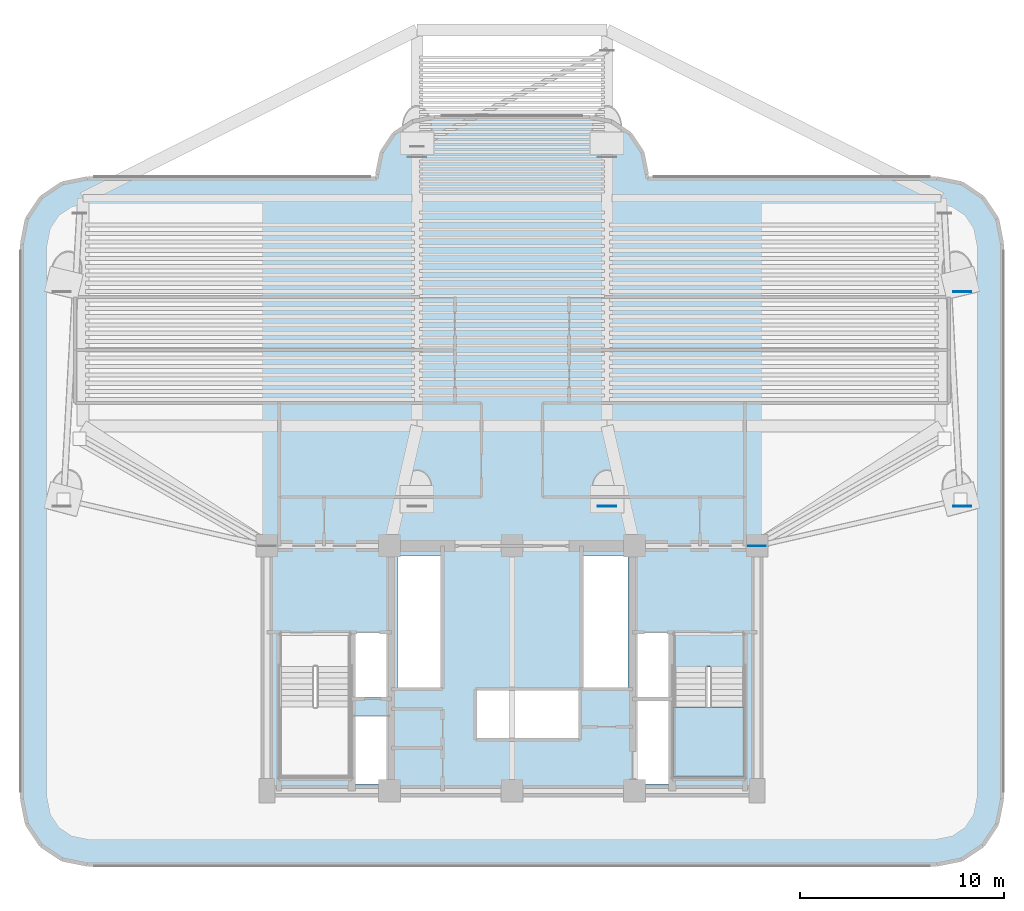
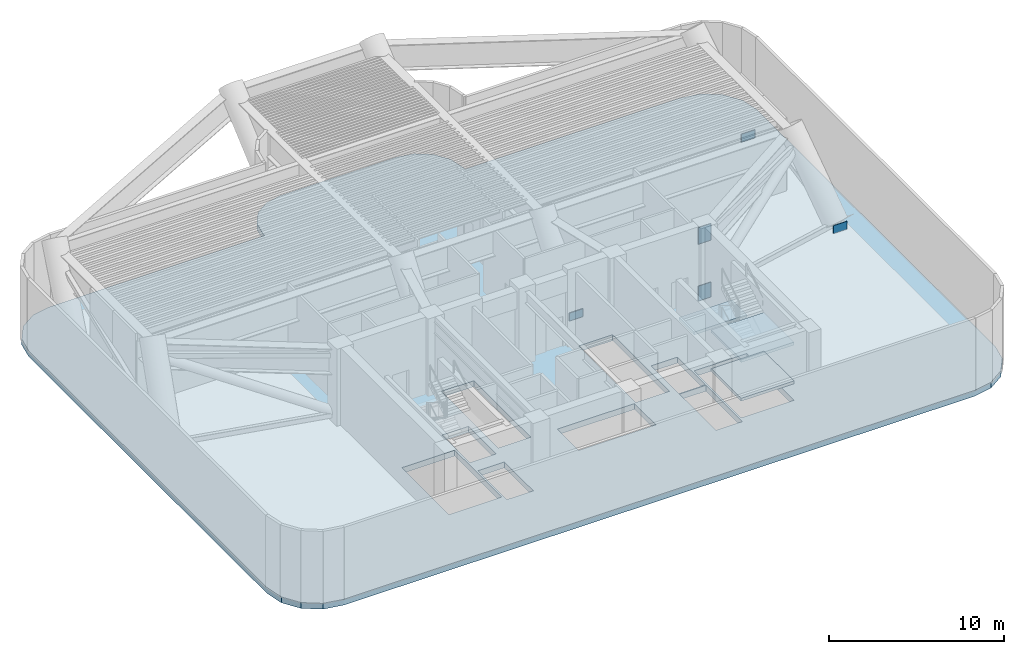
# One storey, part 3 of 11: 5 plates, 4 slabs, 1 element without a shape of its own.
"""IFC4 building model written with IfcOpenShell, lengths in metres."""

import ifcopenshell
import ifcopenshell.guid

model = None  # the IFC model being written
_history = None  # IfcOwnerHistory: only IFC2X3 demands one
_inside = {}  # id of a spatial element -> (the spatial element, [elements in it])
_under = {}  # id of a project, library or spatial element -> (it, [spatial elements below it])
_declared = {}  # id of a project -> (the project, [libraries it declares])
_typed = {}  # id of a type object -> (the type object, [elements of that type])
_made_of = {}  # id of a material, layer set ... -> (it, [elements and type objects made of it])


def new_model(schema):
    """Start an empty IFC model of exactly this schema.

    Asked for "IFC4X3", IfcOpenShell would pick the latest addendum, in which some entities
    have other attributes; the version numbers below select the first issue.
    IFC2X3 requires an IfcOwnerHistory on every rooted entity: one is made here for all.
    """
    global model, _history
    if schema == "IFC4X3":
        model = ifcopenshell.file(schema_version=(4, 3, 0, 0))
    else:
        model = ifcopenshell.file(schema=schema)
    _inside.clear()
    _under.clear()
    _declared.clear()
    _typed.clear()
    _made_of.clear()
    _history = None
    if model.schema == "IFC2X3":
        org = make("IfcOrganization", Name="unknown")
        user = make(
            "IfcPersonAndOrganization",
            ThePerson=make("IfcPerson", FamilyName="unknown"),
            TheOrganization=org,
        )
        app = make(
            "IfcApplication",
            ApplicationDeveloper=org,
            Version="unknown",
            ApplicationFullName="unknown",
            ApplicationIdentifier="unknown",
        )
        _history = make(
            "IfcOwnerHistory",
            OwningUser=user,
            OwningApplication=app,
            ChangeAction="ADDED",
            CreationDate=0,
        )
    return model


def make(cls, **values):
    """One entity of the class cls with the attributes given. An attribute that is None is left unset."""
    return model.create_entity(
        cls, **{name: value for name, value in values.items() if value is not None}
    )


def rooted(cls, **values):
    """An entity with a GlobalId (a new one), such as an element, a storey or a relation."""
    return make(cls, GlobalId=ifcopenshell.guid.new(), OwnerHistory=_history, **values)


def si_unit(unit_type, name, prefix=None):
    """IfcSIUnit, for example si_unit("LENGTHUNIT", "METRE", prefix="MILLI")."""
    return make("IfcSIUnit", UnitType=unit_type, Prefix=prefix, Name=name)


def assignment(units):
    """IfcUnitAssignment: the units of a project."""
    return None if units is None else make("IfcUnitAssignment", Units=units)


def point(xyz):
    """IfcCartesianPoint."""
    return None if xyz is None else make("IfcCartesianPoint", Coordinates=xyz)


def direction(xyz):
    """IfcDirection."""
    return None if xyz is None else make("IfcDirection", DirectionRatios=xyz)


def frame(location, z_axis=None, x_axis=None):
    """IfcAxis2Placement3D, a coordinate frame: its origin and axes. An axis left out is left unset."""
    return make(
        "IfcAxis2Placement3D",
        Location=point(location),
        Axis=direction(z_axis),
        RefDirection=direction(x_axis),
    )


def frame_2d(location, x_axis=None):
    """IfcAxis2Placement2D, a coordinate frame in the plane: its origin and x axis."""
    return make(
        "IfcAxis2Placement2D", Location=point(location), RefDirection=direction(x_axis)
    )


def origin():
    """The frame at (0, 0, 0) with its axes left unset."""
    return frame((0.0, 0.0, 0.0))


def origin_2d():
    """The frame at (0, 0) in the plane with its x axis left unset."""
    return frame_2d((0.0, 0.0))


def place(relative_to, where):
    """IfcLocalPlacement: puts the frame where relative to a parent placement (None: the world)."""
    return make(
        "IfcLocalPlacement", PlacementRelTo=relative_to, RelativePlacement=where
    )


def context(
    kind, dimensions, precision=None, world=None, true_north=None, identifier=None
):
    """IfcGeometricRepresentationContext, for example the 3D "Model" context."""
    return make(
        "IfcGeometricRepresentationContext",
        ContextIdentifier=identifier,
        ContextType=kind,
        CoordinateSpaceDimension=dimensions,
        Precision=precision,
        WorldCoordinateSystem=world,
        TrueNorth=true_north,
    )


def subcontext(parent, identifier, kind, view, scale=None):
    """IfcGeometricRepresentationSubContext, for example "Body" below "Model"."""
    return make(
        "IfcGeometricRepresentationSubContext",
        ContextIdentifier=identifier,
        ContextType=kind,
        ParentContext=parent,
        TargetScale=scale,
        TargetView=view,
    )


def project(units=None, contexts=None):
    """IfcProject with its units and contexts."""
    return rooted(
        "IfcProject",
        Name="project",
        RepresentationContexts=contexts,
        UnitsInContext=assignment(units),
    )


def spatial(cls, under=None, at=None, **own):
    """A site, building, storey or space (cls), placed at a placement, below another one or the project."""
    s = rooted(cls, ObjectPlacement=at, **own)
    if under is not None:
        _under.setdefault(under.id(), (under, []))[1].append(s)
    return s


def polyline(points):
    """IfcPolyline through the points."""
    return make("IfcPolyline", Points=[point(p) for p in points])


def profile(cls, at=None, kind="AREA", **sizes):
    """A parametric profile (cls). Its sizes go by their IFC names, for example OverallWidth=200.0."""
    return make(cls, ProfileType=kind, Position=at, **sizes)


def rectangle(**sizes):
    """IfcRectangleProfileDef."""
    return profile("IfcRectangleProfileDef", **sizes)


def outline(outer, holes=None, kind="AREA"):
    """IfcArbitraryClosedProfileDef: a profile drawn as a closed curve; with holes, ...WithVoids."""
    if holes is None:
        return make("IfcArbitraryClosedProfileDef", ProfileType=kind, OuterCurve=outer)
    return make(
        "IfcArbitraryProfileDefWithVoids",
        ProfileType=kind,
        OuterCurve=outer,
        InnerCurves=holes,
    )


def extrude(swept, where, along, depth):
    """IfcExtrudedAreaSolid: the profile swept, set in the frame where, extruded along a direction by depth."""
    return make(
        "IfcExtrudedAreaSolid",
        SweptArea=swept,
        Position=where,
        ExtrudedDirection=direction(along),
        Depth=depth,
    )


def shape(context_of_items, identifier, shape_type, items):
    """IfcShapeRepresentation: the items that make up one representation, for example the "Body"."""
    return make(
        "IfcShapeRepresentation",
        ContextOfItems=context_of_items,
        RepresentationIdentifier=identifier,
        RepresentationType=shape_type,
        Items=items,
    )


def source(mapping_origin, context_of_items, identifier, shape_type, items):
    """IfcRepresentationMap: a shape defined once, which mapped items show again and again."""
    return make(
        "IfcRepresentationMap",
        MappingOrigin=mapping_origin,
        MappedRepresentation=shape(context_of_items, identifier, shape_type, items),
    )


def transform(
    local_origin,
    x_axis=None,
    y_axis=None,
    z_axis=None,
    scale=None,
    scale2=None,
    scale3=None,
    uniform=True,
):
    """IfcCartesianTransformationOperator3D, or its non-uniform kind. x_axis, y_axis, z_axis: its Axis1, 2, 3."""
    if uniform:
        return make(
            "IfcCartesianTransformationOperator3D",
            Axis1=direction(x_axis),
            Axis2=direction(y_axis),
            LocalOrigin=point(local_origin),
            Scale=scale,
            Axis3=direction(z_axis),
        )
    return make(
        "IfcCartesianTransformationOperator3DnonUniform",
        Axis1=direction(x_axis),
        Axis2=direction(y_axis),
        LocalOrigin=point(local_origin),
        Scale=scale,
        Axis3=direction(z_axis),
        Scale2=scale2,
        Scale3=scale3,
    )


def mapped(mapping_source, mapping_target):
    """IfcMappedItem: shows the shape of a source again, moved by a transform."""
    return make(
        "IfcMappedItem", MappingSource=mapping_source, MappingTarget=mapping_target
    )


def material(Name=None, Category=None):
    """IfcMaterial."""
    return make("IfcMaterial", Name=Name, Category=Category)


def layer(
    of_material, thickness, ventilated=None, Name=None, Category=None, Priority=None
):
    """IfcMaterialLayer: one layer of a wall or slab, of a material (None: an air gap)."""
    return make(
        "IfcMaterialLayer",
        Material=of_material,
        LayerThickness=thickness,
        IsVentilated=ventilated,
        Name=Name,
        Category=Category,
        Priority=Priority,
    )


def layer_set(layers, Name=None):
    """IfcMaterialLayerSet."""
    return make("IfcMaterialLayerSet", MaterialLayers=layers, LayerSetName=Name)


def made_of(thing, what):
    """Note that an element or type object is made of a material, layer set ...; save() writes the relation."""
    if what is not None:
        _made_of.setdefault(what.id(), (what, []))[1].append(thing)
    return thing


def type_object(cls, material=None, **own):
    """A type object (cls), such as IfcWallType, which elements share."""
    return made_of(rooted(cls, **own), material)


def element(
    cls,
    number,
    at=None,
    inside=None,
    cuts=None,
    type_object=None,
    material=None,
    context=None,
    identifier="Body",
    shape_type=None,
    held_by="IfcProductDefinitionShape",
    body=None,
    shapes=None,
    **own,
):
    """One element of the class cls, such as IfcWall. Its Tag is "e" and its number.

    at: its placement. inside: the storey or other place that contains it. cuts: it is an
    opening in that element (IfcRelVoidsElement). A single representation is given by context,
    identifier, shape_type and body (its items); several are given by shapes. held_by: the class
    of the entity that holds the representations. save() writes the other relations.
    """
    e = rooted(cls, Tag="e%d" % number, ObjectPlacement=at, **own)
    if body is not None:
        shapes = [shape(context, identifier, shape_type, body)]
    if shapes is not None:
        e.Representation = make(held_by, Representations=shapes)
    if inside is not None:
        _inside.setdefault(inside.id(), (inside, []))[1].append(e)
    if cuts is not None:
        rooted(
            "IfcRelVoidsElement", RelatingBuildingElement=cuts, RelatedOpeningElement=e
        )
    if type_object is not None:
        _typed.setdefault(type_object.id(), (type_object, []))[1].append(e)
    return made_of(e, material)


def aggregate(whole, parts):
    """IfcRelAggregates: a whole, such as a stair, and the parts it consists of."""
    return rooted("IfcRelAggregates", RelatingObject=whole, RelatedObjects=parts)


def save(model, path):
    """Write the relations noted so far, then the file.

    IfcRelAggregates (storeys below a building ...), IfcRelContainedInSpatialStructure (elements
    in a storey), IfcRelDefinesByType, IfcRelAssociatesMaterial and IfcRelDeclares: one each for
    every whole, place, type object, material and project.
    """
    for whole, parts in _under.values():
        aggregate(whole, parts)
    for where, things in _inside.values():
        rooted(
            "IfcRelContainedInSpatialStructure",
            RelatedElements=things,
            RelatingStructure=where,
        )
    for kind, things in _typed.values():
        rooted("IfcRelDefinesByType", RelatedObjects=things, RelatingType=kind)
    for what, things in _made_of.values():
        rooted("IfcRelAssociatesMaterial", RelatedObjects=things, RelatingMaterial=what)
    for by, libraries in _declared.values():
        rooted("IfcRelDeclares", RelatingContext=by, RelatedDefinitions=libraries)
    model.write(path)


model = new_model("IFC4")

# Units and contexts
model_context = context("Model", 3, precision=1e-05, world=origin(), true_north=direction((0.0, 1.0)))
body_context = subcontext(model_context, "Body", "Model", "MODEL_VIEW")
ifc_project = project(units=[si_unit("LENGTHUNIT", "METRE"), si_unit("AREAUNIT", "SQUARE_METRE"), si_unit("VOLUMEUNIT", "CUBIC_METRE"), si_unit("PLANEANGLEUNIT", "RADIAN"), si_unit("MASSUNIT", "GRAM", prefix="KILO")], contexts=[model_context])

# Site, building, storey
site_placement = place(None, origin())
site = spatial("IfcSite", under=ifc_project, at=site_placement, CompositionType="ELEMENT")
building_placement = place(site_placement, origin())
building = spatial("IfcBuilding", under=site, at=building_placement, Name="Brelvock Crest Care Tower", CompositionType="ELEMENT")
storey_placement = place(building_placement, frame((0.0, 0.0, 79.919921875)))
storey = spatial("IfcBuildingStorey", under=building, at=storey_placement, Name="L20", CompositionType="ELEMENT", Elevation=79.919921875)

# Slab
ifc_material_1 = material(Name="Concrete N50 (50 MPa)", Category="concrete")
ifc_layer_1 = layer(ifc_material_1, 0.407958984375, Name="SLB-FL5")
ifc_layer_set_1 = layer_set([ifc_layer_1], Name="Concrete N50 (50 MPa)")
slab_type_1 = type_object("IfcSlabType", Name="SLB-FL5", PredefinedType="FLOOR", material=ifc_layer_set_1)
slab_1_placement = place(storey_placement, frame((0.0, 0.0, -0.407958984375)))
element("IfcSlab", 1, at=slab_1_placement, inside=storey, type_object=slab_type_1, Name="L20 Main Structural Slab", PredefinedType="FLOOR", context=body_context, shape_type="SweptSolid", body=[
    extrude(outline(polyline([(56.800048828125, 36.0), (42.60009765625, 36.0), (42.60009765625, 36.199951171875), (42.386962890625, 37.271484375), (41.77978515625, 38.179931640625), (40.87158203125, 38.786865234375), (39.800048828125, 39.0), (32.199951171875, 39.0), (31.12841796875, 38.786865234375), (30.22021484375, 38.179931640625), (29.613037109375, 37.271484375), (29.39990234375, 36.199951171875), (29.39990234375, 36.0), (15.199951171875, 36.0), (13.975341796875, 35.75634765625), (12.937255859375, 35.062744140625), (12.24365234375, 34.024658203125), (12.0, 32.800048828125), (12.0, 5.60009765625), (12.24365234375, 4.37548828125), (12.937255859375, 3.33740234375), (13.975341796875, 2.6435546875), (15.199951171875, 2.39990234375), (56.800048828125, 2.39990234375), (58.024658203125, 2.6435546875), (59.062744140625, 3.33740234375), (59.75634765625, 4.37548828125), (60.0, 5.60009765625), (60.0, 32.800048828125), (59.75634765625, 34.024658203125), (59.062744140625, 35.062744140625), (58.024658203125, 35.75634765625), (56.800048828125, 36.0)]), holes=[polyline([(28.239990234375, 10.580078125), (29.97998046875, 10.580078125), (29.97998046875, 13.739990234375), (28.239990234375, 13.739990234375), (28.239990234375, 10.580078125)]), polyline([(42.02001953125, 10.580078125), (43.760009765625, 10.580078125), (43.760009765625, 13.739990234375), (42.02001953125, 13.739990234375), (42.02001953125, 10.580078125)]), polyline([(28.239990234375, 6.340087890625), (29.97998046875, 6.340087890625), (29.97998046875, 9.64990234375), (28.239990234375, 9.64990234375), (28.239990234375, 6.340087890625)]), polyline([(24.6298828125, 12.080078125), (24.6298828125, 6.699951171875), (28.110107421875, 6.699951171875), (28.110107421875, 12.080078125), (24.6298828125, 12.080078125)]), polyline([(43.889892578125, 12.080078125), (43.889892578125, 6.699951171875), (47.3701171875, 6.699951171875), (47.3701171875, 12.080078125), (43.889892578125, 12.080078125)]), polyline([(42.02001953125, 6.340087890625), (43.760009765625, 6.340087890625), (43.760009765625, 10.5), (42.02001953125, 10.5), (42.02001953125, 6.340087890625)]), polyline([(30.3798828125, 11.030029296875), (32.52001953125, 11.030029296875), (32.52001953125, 17.52001953125), (30.3798828125, 17.52001953125), (30.3798828125, 11.030029296875)]), polyline([(34.22998046875, 8.530029296875), (39.320068359375, 8.530029296875), (39.320068359375, 10.969970703125), (34.22998046875, 10.969970703125), (34.22998046875, 8.530029296875)]), polyline([(39.429931640625, 11.030029296875), (41.669921875, 11.030029296875), (41.669921875, 17.52001953125), (39.429931640625, 17.52001953125), (39.429931640625, 11.030029296875)])]), origin(), (0.0, 0.0, 1.0), 0.407958984375),
])

# Stair, slabs
ifc_material_2 = material(Name="Concrete N40 (40 MPa)", Category="concrete")
stair_type = type_object("IfcStairType", Name="ST-CORE1", PredefinedType="HALF_TURN_STAIR", material=ifc_material_2)
stair_placement = place(storey_placement, origin())
stair = element("IfcStair", 2, at=stair_placement, inside=storey, type_object=stair_type, Name="L20 Fire-Isolated Core Stair ST-2", PredefinedType="HALF_TURN_STAIR")
ifc_layer_2 = layer(ifc_material_2, 0.199951171875, Name="STL-1")
ifc_layer_set_2 = layer_set([ifc_layer_2], Name="Concrete N40 (40 MPa)")
slab_type_2 = type_object("IfcSlabType", Name="STL-1", PredefinedType="LANDING", material=ifc_layer_set_2)
slab_2_placement = place(storey_placement, frame((0.0, 0.0, 1.150146484375)))
slab_2 = element("IfcSlab", 3, at=slab_2_placement, type_object=slab_type_2, Name="ST-2 landing 1", PredefinedType="LANDING", context=body_context, shape_type="SweptSolid", body=[
    extrude(outline(polyline([(43.889892578125, 10.1201171875), (43.889892578125, 6.699951171875), (47.3701171875, 6.699951171875), (47.3701171875, 10.1201171875), (43.889892578125, 10.1201171875)])), origin(), (0.0, 0.0, 1.0), 0.199951171875),
])
slab_3_placement = place(storey_placement, frame((0.0, 0.0, 2.5)))
slab_3 = element("IfcSlab", 4, at=slab_3_placement, type_object=slab_type_2, Name="ST-2 landing 2", PredefinedType="LANDING", context=body_context, shape_type="SweptSolid", body=[
    extrude(outline(polyline([(43.889892578125, 13.780029296875), (43.889892578125, 12.080078125), (47.3701171875, 12.080078125), (47.3701171875, 13.780029296875), (43.889892578125, 13.780029296875)])), origin(), (0.0, 0.0, 1.0), 0.2001953125),
])
slab_4_placement = place(storey_placement, frame((0.0, 0.0, 3.85009765625)))
slab_4 = element("IfcSlab", 5, at=slab_4_placement, type_object=slab_type_2, Name="ST-2 landing 3", PredefinedType="LANDING", context=body_context, shape_type="SweptSolid", body=[
    extrude(outline(polyline([(43.889892578125, 10.1201171875), (43.889892578125, 6.699951171875), (47.3701171875, 6.699951171875), (47.3701171875, 10.1201171875), (43.889892578125, 10.1201171875)])), origin(), (0.0, 0.0, 1.0), 0.199951171875),
])
aggregate(stair, [slab_2, slab_3, slab_4])

# Plates
ifc_material_3 = material(Name="Steel Grade 350", Category="steel")
plate_type_1 = type_object("IfcPlateType", Name="PLT-KN1", PredefinedType="USERDEFINED", material=ifc_material_3)
shared_shape_1 = source(origin(), body_context, "Body", "SweptSolid", [
    extrude(rectangle(XDim=0.89990234375, YDim=0.0400390625, at=origin_2d()), origin(), (0.0, 0.0, 1.0), 1.199951171875),
])
for number, where, z_axis, x_axis, name in (
    (6, (58.050048828125, 19.949951171875, -0.64990234375), (0.0, 0.0, 1.0), (1.0, 0.0, 0.0), "PLT-KINK-L20-03"),
    (7, (58.050048828125, 30.449951171875, -0.64990234375), (0.0, 0.0, 1.0), (1.0, 0.0, 0.0), "PLT-KINK-L20-04"),
    (8, (40.64990234375, 19.949951171875, -0.64990234375), (0.0, 0.0, 1.0), (1.0, 0.0, 0.0), "PLT-KINK-L20-06"),
):
    element("IfcPlate", number, at=place(storey_placement, frame(where, z_axis=z_axis, x_axis=x_axis)), inside=storey, type_object=plate_type_1, Name=name, ObjectType="GUSSET", PredefinedType="USERDEFINED", context=body_context, shape_type="MappedRepresentation", body=[
        mapped(shared_shape_1, transform((0.0, 0.0, 0.0), x_axis=(1.0, 0.0, 0.0), y_axis=(0.0, 1.0, 0.0), z_axis=(0.0, 0.0, 1.0), scale=1.0)),
    ])
plate_type_2 = type_object("IfcPlateType", Name="PLT-ON1", PredefinedType="USERDEFINED", material=ifc_material_3)
shared_shape_2 = source(origin(), body_context, "Body", "SweptSolid", [
    extrude(rectangle(XDim=0.85009765625, YDim=0.035888671875, at=origin_2d()), origin(), (0.0, 0.0, 1.0), 1.14990234375),
])
for number, where, z_axis, x_axis, name in (
    (9, (48.0, 18.0, -0.124755859375), (0.0, 0.0, 1.0), (1.0, 0.0, 0.0), "PLT-OT-L20-E1-CB"),
    (10, (48.0, 18.0, 3.955078125), (0.0, 0.0, 1.0), (1.0, 0.0, 0.0), "PLT-OT-L20-E1-CT"),
):
    element("IfcPlate", number, at=place(storey_placement, frame(where, z_axis=z_axis, x_axis=x_axis)), inside=storey, type_object=plate_type_2, Name=name, ObjectType="GUSSET", PredefinedType="USERDEFINED", context=body_context, shape_type="MappedRepresentation", body=[
        mapped(shared_shape_2, transform((0.0, 0.0, 0.0), x_axis=(1.0, 0.0, 0.0), y_axis=(0.0, 1.0, 0.0), z_axis=(0.0, 0.0, 1.0), scale=1.0)),
    ])

save(model, "model.ifc")
